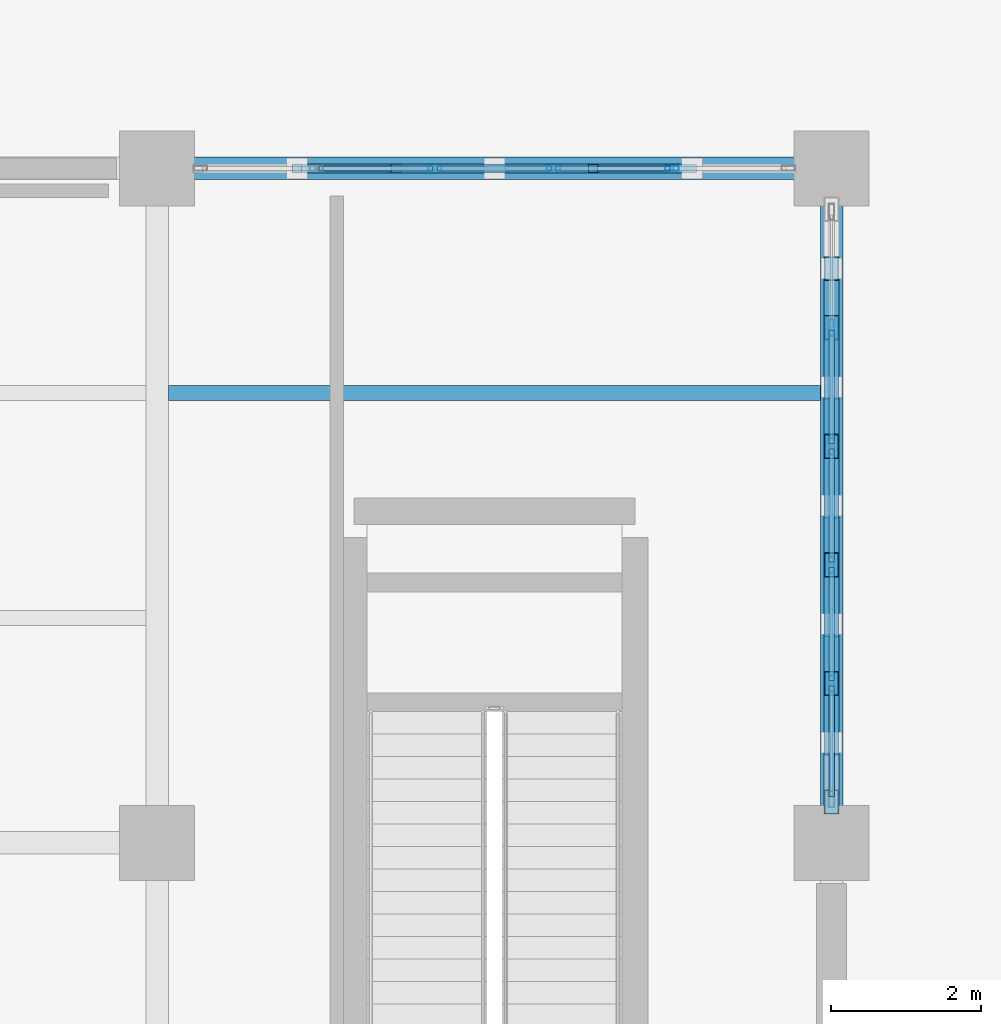
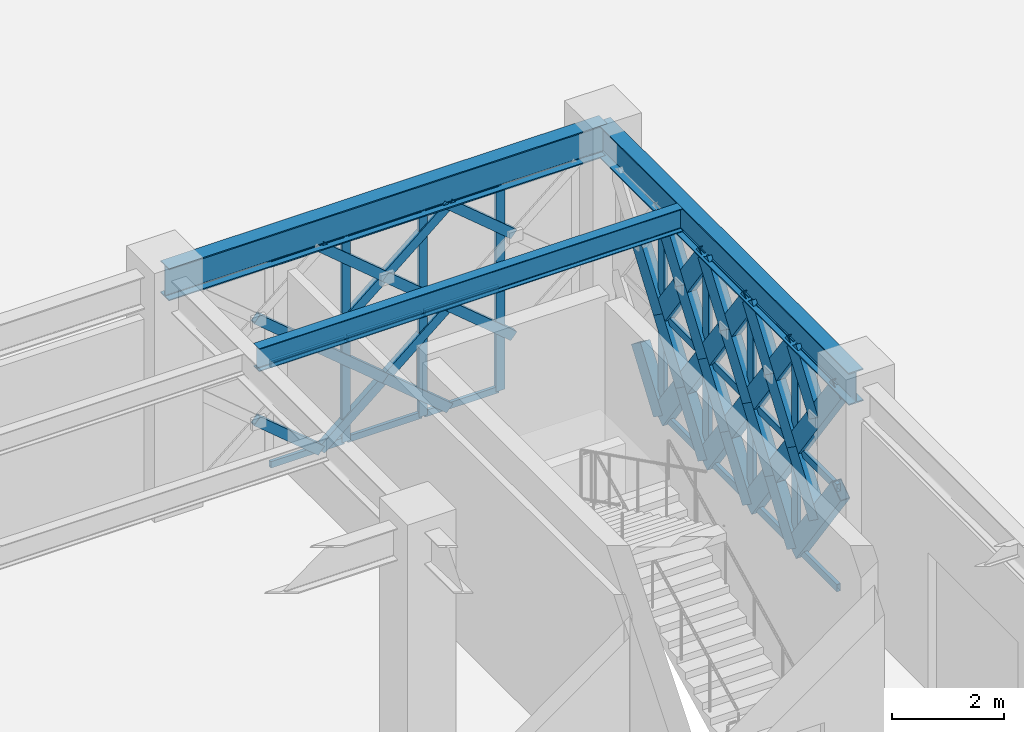
# One storey, part 20 of 140: 62 members, 3 beams, 2 elements without a shape of their own.
"""IFC4 building model written with IfcOpenShell, lengths in metres."""

from ifc_helpers import new_model, si_unit, direction, frame, origin, origin_2d, place, context, subcontext, project, spatial, hollow_rectangle, i_section, extrude, material, material_profile, profile_set, type_object, element, aggregate, save


model = new_model("IFC4")

# Units and contexts
model_context = context("Model", 3, precision=1e-05, world=origin(), true_north=direction((0.0, 1.0)))
body_context = subcontext(model_context, "Body", "Model", "MODEL_VIEW")
ifc_project = project(units=[si_unit("LENGTHUNIT", "METRE"), si_unit("AREAUNIT", "SQUARE_METRE"), si_unit("VOLUMEUNIT", "CUBIC_METRE"), si_unit("PLANEANGLEUNIT", "RADIAN"), si_unit("MASSUNIT", "GRAM", prefix="KILO")], contexts=[model_context])

# Site, building, storey
site_placement = place(None, origin())
site = spatial("IfcSite", under=ifc_project, at=site_placement, CompositionType="ELEMENT")
building_placement = place(site_placement, origin())
building = spatial("IfcBuilding", under=site, at=building_placement, Name="Haizhuo Lancet Aquarium", CompositionType="ELEMENT")
storey_placement = place(building_placement, origin())
storey = spatial("IfcBuildingStorey", under=building, at=storey_placement, Name="L00", CompositionType="ELEMENT", Elevation=0.0)

# Beams
ifc_material_1 = material(Name="Steel S355", Category="steel")
ifc_material_profile_1 = material_profile(ifc_material_1, i_section(OverallWidth=0.300048828125, OverallDepth=0.699951171875, WebThickness=0.012939453125, FlangeThickness=0.02392578125, FilletRadius=0.02587890625, at=origin_2d()), Name="HN 700x300x13x24")
ifc_profile_set_1 = profile_set([ifc_material_profile_1], Name="Steel S355")
beam_type_1 = type_object("IfcBeamType", Name="BM-ST-HN700", PredefinedType="BEAM", material=ifc_profile_set_1)
for number, where, z_axis, x_axis, name in (
    (1, (-45.0, -9.0, 4.77001953125), (1.0, 0.0, 0.0), (0.0, 1.0, 0.0), "L00 V6 primary girder BM-L00-V6-026"),
    (2, (-36.0, -18.0, 4.77001953125), (0.0, 1.0, 0.0), (-1.0, 0.0, 0.0), "L00 V6 primary girder BM-L00-V6-029"),
):
    element("IfcBeam", number, at=place(storey_placement, frame(where, z_axis=z_axis, x_axis=x_axis)), inside=storey, type_object=beam_type_1, Name=name, PredefinedType="BEAM", context=body_context, shape_type="SweptSolid", body=[
        extrude(i_section(OverallWidth=0.300048828125, OverallDepth=0.699951171875, WebThickness=0.012939453125, FlangeThickness=0.02392578125, FilletRadius=0.02587890625, at=origin_2d()), origin(), (0.0, 0.0, 1.0), 9.0),
    ])

# Curtain wall, members
ifc_material_2 = material(Name="Aluminium 6063-T6", Category="aluminium")
curtain_wall_type_1 = type_object("IfcCurtainWallType", Name="CWO-7910x4420", PredefinedType="NOTDEFINED", material=ifc_material_2)
curtain_wall_1_placement = place(storey_placement, origin())
curtain_wall_1 = element("IfcCurtainWall", 3, at=curtain_wall_1_placement, inside=storey, type_object=curtain_wall_type_1, Name="L00 curtain wall CW-V6-L00-196", PredefinedType="NOTDEFINED")
ifc_material_profile_2 = material_profile(ifc_material_2, hollow_rectangle(XDim=0.06494140625, YDim=0.179931640625, WallThickness=0.00390625, at=origin_2d()), Name="ALU-M 65x180x4")
ifc_profile_set_2 = profile_set([ifc_material_profile_2], Name="Aluminium 6063-T6")
member_type_1 = type_object("IfcMemberType", Name="CW-MUL-1", PredefinedType="MULLION", material=ifc_profile_set_2)
member_1_placement = place(storey_placement, frame((-41.291015625, -9.0, 0.0), z_axis=(0.0, 0.0, 1.0), x_axis=(0.0, 1.0, 0.0)))
member_1 = element("IfcMember", 4, at=member_1_placement, type_object=member_type_1, Name="CWO-79x44 mullion 3", PredefinedType="MULLION", context=body_context, shape_type="SweptSolid", body=[
    extrude(hollow_rectangle(XDim=0.06494140625, YDim=0.179931640625, WallThickness=0.00390625, at=origin_2d()), origin(), (0.0, 0.0, 1.0), 4.419921875),
])
member_2_placement = place(storey_placement, frame((-39.708984375, -9.0, 0.0), z_axis=(0.0, 0.0, 1.0), x_axis=(0.0, 1.0, 0.0)))
member_2 = element("IfcMember", 5, at=member_2_placement, type_object=member_type_1, Name="CWO-79x44 mullion 4", PredefinedType="MULLION", context=body_context, shape_type="SweptSolid", body=[
    extrude(hollow_rectangle(XDim=0.06494140625, YDim=0.179931640625, WallThickness=0.00390625, at=origin_2d()), origin(), (0.0, 0.0, 1.0), 4.419921875),
])
member_3_placement = place(storey_placement, frame((-38.126953125, -9.0, 0.0), z_axis=(0.0, 0.0, 1.0), x_axis=(0.0, 1.0, 0.0)))
member_3 = element("IfcMember", 6, at=member_3_placement, type_object=member_type_1, Name="CWO-79x44 mullion 5", PredefinedType="MULLION", context=body_context, shape_type="SweptSolid", body=[
    extrude(hollow_rectangle(XDim=0.06494140625, YDim=0.179931640625, WallThickness=0.00390625, at=origin_2d()), origin(), (0.0, 0.0, 1.0), 4.419921875),
])

curtain_wall_type_2 = type_object("IfcCurtainWallType", Name="CWD-7910x4420", PredefinedType="NOTDEFINED", material=ifc_material_2)
curtain_wall_2_placement = place(storey_placement, origin())
curtain_wall_2 = element("IfcCurtainWall", 7, at=curtain_wall_2_placement, inside=storey, type_object=curtain_wall_type_2, Name="L00 curtain wall CW-V6-L00-197", PredefinedType="NOTDEFINED")
ifc_material_profile_3 = material_profile(ifc_material_2, hollow_rectangle(XDim=0.074951171875, YDim=0.219970703125, WallThickness=0.0048828125, at=origin_2d()), Name="ALU-M 75x220x5")
ifc_profile_set_3 = profile_set([ifc_material_profile_3], Name="Aluminium 6063-T6")
member_type_2 = type_object("IfcMemberType", Name="CW-MUL-2", PredefinedType="MULLION", material=ifc_profile_set_3)
member_4_placement = place(storey_placement, frame((-36.0, -11.126953125, 0.0), z_axis=(0.0, 0.0, 1.0), x_axis=(1.0, 0.0, 0.0)))
member_4 = element("IfcMember", 8, at=member_4_placement, type_object=member_type_2, Name="CWD-79x44 mullion 2", PredefinedType="MULLION", context=body_context, shape_type="SweptSolid", body=[
    extrude(hollow_rectangle(XDim=0.074951171875, YDim=0.219970703125, WallThickness=0.0048828125, at=origin_2d()), origin(), (0.0, 0.0, 1.0), 4.419921875),
])
member_5_placement = place(storey_placement, frame((-36.0, -12.708984375, 0.0), z_axis=(0.0, 0.0, 1.0), x_axis=(1.0, 0.0, 0.0)))
member_5 = element("IfcMember", 9, at=member_5_placement, type_object=member_type_2, Name="CWD-79x44 mullion 3", PredefinedType="MULLION", context=body_context, shape_type="SweptSolid", body=[
    extrude(hollow_rectangle(XDim=0.074951171875, YDim=0.219970703125, WallThickness=0.0048828125, at=origin_2d()), origin(), (0.0, 0.0, 1.0), 4.419921875),
])
member_6_placement = place(storey_placement, frame((-36.0, -14.291015625, 0.0), z_axis=(0.0, 0.0, 1.0), x_axis=(1.0, 0.0, 0.0)))
member_6 = element("IfcMember", 10, at=member_6_placement, type_object=member_type_2, Name="CWD-79x44 mullion 4", PredefinedType="MULLION", context=body_context, shape_type="SweptSolid", body=[
    extrude(hollow_rectangle(XDim=0.074951171875, YDim=0.219970703125, WallThickness=0.0048828125, at=origin_2d()), origin(), (0.0, 0.0, 1.0), 4.419921875),
])
member_7_placement = place(storey_placement, frame((-36.0, -15.873046875, 0.0), z_axis=(0.0, 0.0, 1.0), x_axis=(1.0, 0.0, 0.0)))
member_7 = element("IfcMember", 11, at=member_7_placement, type_object=member_type_2, Name="CWD-79x44 mullion 5", PredefinedType="MULLION", context=body_context, shape_type="SweptSolid", body=[
    extrude(hollow_rectangle(XDim=0.074951171875, YDim=0.219970703125, WallThickness=0.0048828125, at=origin_2d()), origin(), (0.0, 0.0, 1.0), 4.419921875),
])

# Member
ifc_material_profile_4 = material_profile(ifc_material_2, hollow_rectangle(XDim=0.06494140625, YDim=0.139892578125, WallThickness=0.00390625, at=origin_2d()), Name="ALU-T 65x140x4")
ifc_profile_set_4 = profile_set([ifc_material_profile_4], Name="Aluminium 6063-T6")
member_type_3 = type_object("IfcMemberType", Name="CW-TRN-1", PredefinedType="NOTDEFINED", material=ifc_profile_set_4)
member_8_placement = place(storey_placement, frame((-42.840087890625, -9.0, 0.032958984375), z_axis=(1.0, 0.0, 0.0), x_axis=(0.0, 1.0, 0.0)))
member_8 = element("IfcMember", 12, at=member_8_placement, type_object=member_type_3, Name="CWO-79x44 transom 2.1", ObjectType="TRANSOM", PredefinedType="USERDEFINED", context=body_context, shape_type="SweptSolid", body=[
    extrude(hollow_rectangle(XDim=0.06494140625, YDim=0.139892578125, WallThickness=0.00390625, at=origin_2d()), origin(), (0.0, 0.0, 1.0), 1.51611328125),
])

member_9_placement = place(storey_placement, frame((-42.840087890625, -9.0, 2.2099609375), z_axis=(1.0, 0.0, 0.0), x_axis=(0.0, 1.0, 0.0)))
member_9 = element("IfcMember", 13, at=member_9_placement, type_object=member_type_3, Name="CWO-79x44 transom 2.2", ObjectType="TRANSOM", PredefinedType="USERDEFINED", context=body_context, shape_type="SweptSolid", body=[
    extrude(hollow_rectangle(XDim=0.06494140625, YDim=0.139892578125, WallThickness=0.00390625, at=origin_2d()), origin(), (0.0, 0.0, 1.0), 1.51611328125),
])

member_10_placement = place(storey_placement, frame((-42.840087890625, -9.0, 4.387939453125), z_axis=(1.0, 0.0, 0.0), x_axis=(0.0, 1.0, 0.0)))
member_10 = element("IfcMember", 14, at=member_10_placement, type_object=member_type_3, Name="CWO-79x44 transom 2.3", ObjectType="TRANSOM", PredefinedType="USERDEFINED", context=body_context, shape_type="SweptSolid", body=[
    extrude(hollow_rectangle(XDim=0.06494140625, YDim=0.139892578125, WallThickness=0.00390625, at=origin_2d()), origin(), (0.0, 0.0, 1.0), 1.51611328125),
])

member_11_placement = place(storey_placement, frame((-41.258056640625, -9.0, 0.032958984375), z_axis=(1.0, 0.0, 0.0), x_axis=(0.0, 1.0, 0.0)))
member_11 = element("IfcMember", 15, at=member_11_placement, type_object=member_type_3, Name="CWO-79x44 transom 3.1", ObjectType="TRANSOM", PredefinedType="USERDEFINED", context=body_context, shape_type="SweptSolid", body=[
    extrude(hollow_rectangle(XDim=0.06494140625, YDim=0.139892578125, WallThickness=0.00390625, at=origin_2d()), origin(), (0.0, 0.0, 1.0), 1.51611328125),
])

member_12_placement = place(storey_placement, frame((-41.258056640625, -9.0, 2.2099609375), z_axis=(1.0, 0.0, 0.0), x_axis=(0.0, 1.0, 0.0)))
member_12 = element("IfcMember", 16, at=member_12_placement, type_object=member_type_3, Name="CWO-79x44 transom 3.2", ObjectType="TRANSOM", PredefinedType="USERDEFINED", context=body_context, shape_type="SweptSolid", body=[
    extrude(hollow_rectangle(XDim=0.06494140625, YDim=0.139892578125, WallThickness=0.00390625, at=origin_2d()), origin(), (0.0, 0.0, 1.0), 1.51611328125),
])

member_13_placement = place(storey_placement, frame((-41.258056640625, -9.0, 4.387939453125), z_axis=(1.0, 0.0, 0.0), x_axis=(0.0, 1.0, 0.0)))
member_13 = element("IfcMember", 17, at=member_13_placement, type_object=member_type_3, Name="CWO-79x44 transom 3.3", ObjectType="TRANSOM", PredefinedType="USERDEFINED", context=body_context, shape_type="SweptSolid", body=[
    extrude(hollow_rectangle(XDim=0.06494140625, YDim=0.139892578125, WallThickness=0.00390625, at=origin_2d()), origin(), (0.0, 0.0, 1.0), 1.51611328125),
])

member_14_placement = place(storey_placement, frame((-39.676025390625, -9.0, 0.032958984375), z_axis=(1.0, 0.0, 0.0), x_axis=(0.0, 1.0, 0.0)))
member_14 = element("IfcMember", 18, at=member_14_placement, type_object=member_type_3, Name="CWO-79x44 transom 4.1", ObjectType="TRANSOM", PredefinedType="USERDEFINED", context=body_context, shape_type="SweptSolid", body=[
    extrude(hollow_rectangle(XDim=0.06494140625, YDim=0.139892578125, WallThickness=0.00390625, at=origin_2d()), origin(), (0.0, 0.0, 1.0), 1.51611328125),
])

member_15_placement = place(storey_placement, frame((-39.676025390625, -9.0, 2.2099609375), z_axis=(1.0, 0.0, 0.0), x_axis=(0.0, 1.0, 0.0)))
member_15 = element("IfcMember", 19, at=member_15_placement, type_object=member_type_3, Name="CWO-79x44 transom 4.2", ObjectType="TRANSOM", PredefinedType="USERDEFINED", context=body_context, shape_type="SweptSolid", body=[
    extrude(hollow_rectangle(XDim=0.06494140625, YDim=0.139892578125, WallThickness=0.00390625, at=origin_2d()), origin(), (0.0, 0.0, 1.0), 1.51611328125),
])

member_16_placement = place(storey_placement, frame((-39.676025390625, -9.0, 4.387939453125), z_axis=(1.0, 0.0, 0.0), x_axis=(0.0, 1.0, 0.0)))
member_16 = element("IfcMember", 20, at=member_16_placement, type_object=member_type_3, Name="CWO-79x44 transom 4.3", ObjectType="TRANSOM", PredefinedType="USERDEFINED", context=body_context, shape_type="SweptSolid", body=[
    extrude(hollow_rectangle(XDim=0.06494140625, YDim=0.139892578125, WallThickness=0.00390625, at=origin_2d()), origin(), (0.0, 0.0, 1.0), 1.51611328125),
])

aggregate(curtain_wall_1, [member_1, member_2, member_3, member_8, member_9, member_10, member_11, member_12, member_13, member_14, member_15, member_16])

ifc_material_profile_5 = material_profile(ifc_material_2, hollow_rectangle(XDim=0.074951171875, YDim=0.159912109375, WallThickness=0.00390625, at=origin_2d()), Name="ALU-T 75x160x4")
ifc_profile_set_5 = profile_set([ifc_material_profile_5], Name="Aluminium 6063-T6")
member_type_4 = type_object("IfcMemberType", Name="CW-TRN-2", PredefinedType="NOTDEFINED", material=ifc_profile_set_5)
member_17_placement = place(storey_placement, frame((-36.0, -11.1650390625, 0.037109375), z_axis=(0.0, -1.0, 0.0), x_axis=(1.0, 0.0, 0.0)))
member_17 = element("IfcMember", 21, at=member_17_placement, type_object=member_type_4, Name="CWD-79x44 transom 2.1", ObjectType="TRANSOM", PredefinedType="USERDEFINED", context=body_context, shape_type="SweptSolid", body=[
    extrude(hollow_rectangle(XDim=0.074951171875, YDim=0.159912109375, WallThickness=0.00390625, at=origin_2d()), origin(), (0.0, 0.0, 1.0), 1.505859375),
])

member_18_placement = place(storey_placement, frame((-36.0, -11.1650390625, 2.2099609375), z_axis=(0.0, -1.0, 0.0), x_axis=(1.0, 0.0, 0.0)))
member_18 = element("IfcMember", 22, at=member_18_placement, type_object=member_type_4, Name="CWD-79x44 transom 2.2", ObjectType="TRANSOM", PredefinedType="USERDEFINED", context=body_context, shape_type="SweptSolid", body=[
    extrude(hollow_rectangle(XDim=0.074951171875, YDim=0.159912109375, WallThickness=0.00390625, at=origin_2d()), origin(), (0.0, 0.0, 1.0), 1.505859375),
])

member_19_placement = place(storey_placement, frame((-36.0, -11.1650390625, 4.383056640625), z_axis=(0.0, -1.0, 0.0), x_axis=(1.0, 0.0, 0.0)))
member_19 = element("IfcMember", 23, at=member_19_placement, type_object=member_type_4, Name="CWD-79x44 transom 2.3", ObjectType="TRANSOM", PredefinedType="USERDEFINED", context=body_context, shape_type="SweptSolid", body=[
    extrude(hollow_rectangle(XDim=0.074951171875, YDim=0.159912109375, WallThickness=0.00390625, at=origin_2d()), origin(), (0.0, 0.0, 1.0), 1.505859375),
])

member_20_placement = place(storey_placement, frame((-36.0, -12.74609375, 0.037109375), z_axis=(0.0, -1.0, 0.0), x_axis=(1.0, 0.0, 0.0)))
member_20 = element("IfcMember", 24, at=member_20_placement, type_object=member_type_4, Name="CWD-79x44 transom 3.1", ObjectType="TRANSOM", PredefinedType="USERDEFINED", context=body_context, shape_type="SweptSolid", body=[
    extrude(hollow_rectangle(XDim=0.074951171875, YDim=0.159912109375, WallThickness=0.00390625, at=origin_2d()), origin(), (0.0, 0.0, 1.0), 1.5068359375),
])

member_21_placement = place(storey_placement, frame((-36.0, -12.74609375, 2.2099609375), z_axis=(0.0, -1.0, 0.0), x_axis=(1.0, 0.0, 0.0)))
member_21 = element("IfcMember", 25, at=member_21_placement, type_object=member_type_4, Name="CWD-79x44 transom 3.2", ObjectType="TRANSOM", PredefinedType="USERDEFINED", context=body_context, shape_type="SweptSolid", body=[
    extrude(hollow_rectangle(XDim=0.074951171875, YDim=0.159912109375, WallThickness=0.00390625, at=origin_2d()), origin(), (0.0, 0.0, 1.0), 1.5068359375),
])

member_22_placement = place(storey_placement, frame((-36.0, -12.74609375, 4.383056640625), z_axis=(0.0, -1.0, 0.0), x_axis=(1.0, 0.0, 0.0)))
member_22 = element("IfcMember", 26, at=member_22_placement, type_object=member_type_4, Name="CWD-79x44 transom 3.3", ObjectType="TRANSOM", PredefinedType="USERDEFINED", context=body_context, shape_type="SweptSolid", body=[
    extrude(hollow_rectangle(XDim=0.074951171875, YDim=0.159912109375, WallThickness=0.00390625, at=origin_2d()), origin(), (0.0, 0.0, 1.0), 1.5068359375),
])

member_23_placement = place(storey_placement, frame((-36.0, -14.327880859375, 0.037109375), z_axis=(0.0, -1.0, 0.0), x_axis=(1.0, 0.0, 0.0)))
member_23 = element("IfcMember", 27, at=member_23_placement, type_object=member_type_4, Name="CWD-79x44 transom 4.1", ObjectType="TRANSOM", PredefinedType="USERDEFINED", context=body_context, shape_type="SweptSolid", body=[
    extrude(hollow_rectangle(XDim=0.074951171875, YDim=0.159912109375, WallThickness=0.00390625, at=origin_2d()), origin(), (0.0, 0.0, 1.0), 1.507080078125),
])

member_24_placement = place(storey_placement, frame((-36.0, -14.327880859375, 2.2099609375), z_axis=(0.0, -1.0, 0.0), x_axis=(1.0, 0.0, 0.0)))
member_24 = element("IfcMember", 28, at=member_24_placement, type_object=member_type_4, Name="CWD-79x44 transom 4.2", ObjectType="TRANSOM", PredefinedType="USERDEFINED", context=body_context, shape_type="SweptSolid", body=[
    extrude(hollow_rectangle(XDim=0.074951171875, YDim=0.159912109375, WallThickness=0.00390625, at=origin_2d()), origin(), (0.0, 0.0, 1.0), 1.507080078125),
])

member_25_placement = place(storey_placement, frame((-36.0, -14.327880859375, 4.383056640625), z_axis=(0.0, -1.0, 0.0), x_axis=(1.0, 0.0, 0.0)))
member_25 = element("IfcMember", 29, at=member_25_placement, type_object=member_type_4, Name="CWD-79x44 transom 4.3", ObjectType="TRANSOM", PredefinedType="USERDEFINED", context=body_context, shape_type="SweptSolid", body=[
    extrude(hollow_rectangle(XDim=0.074951171875, YDim=0.159912109375, WallThickness=0.00390625, at=origin_2d()), origin(), (0.0, 0.0, 1.0), 1.507080078125),
])

member_26_placement = place(storey_placement, frame((-36.0, -15.909912109375, 0.037109375), z_axis=(0.0, -1.0, 0.0), x_axis=(1.0, 0.0, 0.0)))
member_26 = element("IfcMember", 30, at=member_26_placement, type_object=member_type_4, Name="CWD-79x44 transom 5.1", ObjectType="TRANSOM", PredefinedType="USERDEFINED", context=body_context, shape_type="SweptSolid", body=[
    extrude(hollow_rectangle(XDim=0.074951171875, YDim=0.159912109375, WallThickness=0.00390625, at=origin_2d()), origin(), (0.0, 0.0, 1.0), 1.469970703125),
])

member_27_placement = place(storey_placement, frame((-36.0, -15.909912109375, 2.2099609375), z_axis=(0.0, -1.0, 0.0), x_axis=(1.0, 0.0, 0.0)))
member_27 = element("IfcMember", 31, at=member_27_placement, type_object=member_type_4, Name="CWD-79x44 transom 5.2", ObjectType="TRANSOM", PredefinedType="USERDEFINED", context=body_context, shape_type="SweptSolid", body=[
    extrude(hollow_rectangle(XDim=0.074951171875, YDim=0.159912109375, WallThickness=0.00390625, at=origin_2d()), origin(), (0.0, 0.0, 1.0), 1.469970703125),
])

member_28_placement = place(storey_placement, frame((-36.0, -15.909912109375, 4.383056640625), z_axis=(0.0, -1.0, 0.0), x_axis=(1.0, 0.0, 0.0)))
member_28 = element("IfcMember", 32, at=member_28_placement, type_object=member_type_4, Name="CWD-79x44 transom 5.3", ObjectType="TRANSOM", PredefinedType="USERDEFINED", context=body_context, shape_type="SweptSolid", body=[
    extrude(hollow_rectangle(XDim=0.074951171875, YDim=0.159912109375, WallThickness=0.00390625, at=origin_2d()), origin(), (0.0, 0.0, 1.0), 1.469970703125),
])

aggregate(curtain_wall_2, [member_4, member_5, member_6, member_7, member_17, member_18, member_19, member_20, member_21, member_22, member_23, member_24, member_25, member_26, member_27, member_28])

# Beam
ifc_material_profile_6 = material_profile(ifc_material_1, i_section(OverallWidth=0.199951171875, OverallDepth=0.5, WebThickness=0.010009765625, FlangeThickness=0.01611328125, FilletRadius=0.02001953125, at=origin_2d()), Name="HN 500x200x10x16")
ifc_profile_set_6 = profile_set([ifc_material_profile_6], Name="Steel S355")
beam_type_2 = type_object("IfcBeamType", Name="JST-ST-HN500", PredefinedType="JOIST", material=ifc_profile_set_6)
beam_placement = place(storey_placement, frame((-44.85009765625, -12.0, 4.8701171875), z_axis=(1.0, 0.0, 0.0), x_axis=(0.0, 1.0, 0.0)))
element("IfcBeam", 33, at=beam_placement, inside=storey, type_object=beam_type_2, Name="L00 V6 secondary floor joist 19", PredefinedType="JOIST", context=body_context, shape_type="SweptSolid", body=[
    extrude(i_section(OverallWidth=0.199951171875, OverallDepth=0.5, WebThickness=0.010009765625, FlangeThickness=0.01611328125, FilletRadius=0.02001953125, at=origin_2d()), origin(), (0.0, 0.0, 1.0), 8.7001953125),
])

# Members
ifc_material_profile_7 = material_profile(ifc_material_1, hollow_rectangle(XDim=0.1201171875, YDim=0.199951171875, WallThickness=0.008056640625, at=origin_2d()), Name="RHS 120x200x8")
ifc_profile_set_7 = profile_set([ifc_material_profile_7], Name="Steel S355")
member_type_5 = type_object("IfcMemberType", Name="MEM-LB-RHS120x200", PredefinedType="BRACE", material=ifc_profile_set_7)
for number, where, z_axis, x_axis, name in (
    (34, (-41.818115234375, -9.0, 0.0), (-0.766286230908, 0.0, 0.642499348109), (0.0, -1.0, 0.0), "Gothic lancet split diagonal brace CW-V6-L00-196 1B1"),
    (35, (-41.818115234375, -9.0, 2.2099609375), (-0.766286230908, 0.0, 0.642499348109), (0.0, -1.0, 0.0), "Gothic lancet split diagonal brace CW-V6-L00-196 2B1"),
):
    element("IfcMember", number, at=place(storey_placement, frame(where, z_axis=z_axis, x_axis=x_axis)), inside=storey, type_object=member_type_5, Name=name, PredefinedType="BRACE", context=body_context, shape_type="SweptSolid", body=[
        extrude(hollow_rectangle(XDim=0.1201171875, YDim=0.199951171875, WallThickness=0.008056640625, at=origin_2d()), origin(), (0.0, 0.0, 1.0), 1.7197265625),
    ])
member_29_placement = place(storey_placement, frame((-41.818115234375, -9.0, 0.0), z_axis=(0.766344822145, 0.0, 0.642429461943), x_axis=(0.0, 1.0, 0.0)))
element("IfcMember", 36, at=member_29_placement, inside=storey, type_object=member_type_5, Name="Gothic lancet continuous diagonal brace CW-V6-L00-196 3A", PredefinedType="BRACE", context=body_context, shape_type="SweptSolid", body=[
    extrude(hollow_rectangle(XDim=0.1201171875, YDim=0.199951171875, WallThickness=0.008056640625, at=origin_2d()), origin(), (0.0, 0.0, 1.0), 3.43994140625),
])
for number, where, z_axis, x_axis, name in (
    (37, (-39.181884765625, -9.0, 0.0), (-0.766344822145, 0.0, 0.642429461943), (0.0, -1.0, 0.0), "Gothic lancet split diagonal brace CW-V6-L00-196 3B1"),
    (38, (-40.5, -9.0, 1.10498046875), (-0.766344822145, 0.0, 0.642429461943), (0.0, -1.0, 0.0), "Gothic lancet split diagonal brace CW-V6-L00-196 3B2"),
):
    element("IfcMember", number, at=place(storey_placement, frame(where, z_axis=z_axis, x_axis=x_axis)), inside=storey, type_object=member_type_5, Name=name, PredefinedType="BRACE", context=body_context, shape_type="SweptSolid", body=[
        extrude(hollow_rectangle(XDim=0.1201171875, YDim=0.199951171875, WallThickness=0.008056640625, at=origin_2d()), origin(), (0.0, 0.0, 1.0), 1.719970703125),
    ])
member_30_placement = place(storey_placement, frame((-41.818115234375, -9.0, 2.2099609375), z_axis=(0.766344822145, 0.0, 0.642429461943), x_axis=(0.0, 1.0, 0.0)))
element("IfcMember", 39, at=member_30_placement, inside=storey, type_object=member_type_5, Name="Gothic lancet continuous diagonal brace CW-V6-L00-196 4A", PredefinedType="BRACE", context=body_context, shape_type="SweptSolid", body=[
    extrude(hollow_rectangle(XDim=0.1201171875, YDim=0.199951171875, WallThickness=0.008056640625, at=origin_2d()), origin(), (0.0, 0.0, 1.0), 3.43994140625),
])
for number, where, z_axis, x_axis, name in (
    (40, (-39.181884765625, -9.0, 2.2099609375), (-0.766344822145, 0.0, 0.642429461943), (0.0, -1.0, 0.0), "Gothic lancet split diagonal brace CW-V6-L00-196 4B1"),
    (41, (-40.5, -9.0, 3.31494140625), (-0.766344822145, 0.0, 0.642429461943), (0.0, -1.0, 0.0), "Gothic lancet split diagonal brace CW-V6-L00-196 4B2"),
):
    element("IfcMember", number, at=place(storey_placement, frame(where, z_axis=z_axis, x_axis=x_axis)), inside=storey, type_object=member_type_5, Name=name, PredefinedType="BRACE", context=body_context, shape_type="SweptSolid", body=[
        extrude(hollow_rectangle(XDim=0.1201171875, YDim=0.199951171875, WallThickness=0.008056640625, at=origin_2d()), origin(), (0.0, 0.0, 1.0), 1.719970703125),
    ])
for number, where, z_axis, x_axis, name in (
    (42, (-37.864013671875, -9.0, 1.10498046875), (-0.766286230908, 0.0, 0.642499348109), (0.0, -1.0, 0.0), "Gothic lancet split diagonal brace CW-V6-L00-196 5B2"),
    (43, (-37.864013671875, -9.0, 3.31494140625), (-0.766286230908, 0.0, 0.642499348109), (0.0, -1.0, 0.0), "Gothic lancet split diagonal brace CW-V6-L00-196 6B2"),
):
    element("IfcMember", number, at=place(storey_placement, frame(where, z_axis=z_axis, x_axis=x_axis)), inside=storey, type_object=member_type_5, Name=name, PredefinedType="BRACE", context=body_context, shape_type="SweptSolid", body=[
        extrude(hollow_rectangle(XDim=0.1201171875, YDim=0.199951171875, WallThickness=0.008056640625, at=origin_2d()), origin(), (0.0, 0.0, 1.0), 1.7197265625),
    ])
ifc_material_profile_8 = material_profile(ifc_material_1, hollow_rectangle(XDim=0.199951171875, YDim=0.39990234375, WallThickness=0.011962890625, at=origin_2d()), Name="RHS 200x400x12")
ifc_profile_set_8 = profile_set([ifc_material_profile_8], Name="Steel S355")
member_type_6 = type_object("IfcMemberType", Name="MEM-LB-RHS200x400", PredefinedType="BRACE", material=ifc_profile_set_8)
for number, where, z_axis, x_axis, name in (
    (44, (-36.0, -11.126953125, 0.0), (0.0, 0.582087604305, 0.813126079347), (-1.0, 0.0, 0.0), "Gothic lancet split diagonal brace CW-V6-L00-197 1B1"),
    (45, (-36.0, -11.126953125, 2.2099609375), (0.0, 0.582087604305, 0.813126079347), (-1.0, 0.0, 0.0), "Gothic lancet split diagonal brace CW-V6-L00-197 2B1"),
):
    element("IfcMember", number, at=place(storey_placement, frame(where, z_axis=z_axis, x_axis=x_axis)), inside=storey, type_object=member_type_6, Name=name, PredefinedType="BRACE", context=body_context, shape_type="SweptSolid", body=[
        extrude(hollow_rectangle(XDim=0.199951171875, YDim=0.39990234375, WallThickness=0.011962890625, at=origin_2d()), origin(), (0.0, 0.0, 1.0), 1.35888671875),
    ])
member_31_placement = place(storey_placement, frame((-36.0, -11.126953125, 0.0), z_axis=(0.0, -0.582087604305, 0.813126079347), x_axis=(1.0, 0.0, 0.0)))
element("IfcMember", 46, at=member_31_placement, inside=storey, type_object=member_type_6, Name="Gothic lancet continuous diagonal brace CW-V6-L00-197 3A", PredefinedType="BRACE", context=body_context, shape_type="SweptSolid", body=[
    extrude(hollow_rectangle(XDim=0.199951171875, YDim=0.39990234375, WallThickness=0.011962890625, at=origin_2d()), origin(), (0.0, 0.0, 1.0), 2.7177734375),
])
for number, where, z_axis, x_axis, name in (
    (47, (-36.0, -12.708984375, 0.0), (0.0, 0.582087604305, 0.813126079347), (-1.0, 0.0, 0.0), "Gothic lancet split diagonal brace CW-V6-L00-197 3B1"),
    (48, (-36.0, -11.91796875, 1.10498046875), (0.0, 0.582087604305, 0.813126079347), (-1.0, 0.0, 0.0), "Gothic lancet split diagonal brace CW-V6-L00-197 3B2"),
):
    element("IfcMember", number, at=place(storey_placement, frame(where, z_axis=z_axis, x_axis=x_axis)), inside=storey, type_object=member_type_6, Name=name, PredefinedType="BRACE", context=body_context, shape_type="SweptSolid", body=[
        extrude(hollow_rectangle(XDim=0.199951171875, YDim=0.39990234375, WallThickness=0.011962890625, at=origin_2d()), origin(), (0.0, 0.0, 1.0), 1.35888671875),
    ])
member_32_placement = place(storey_placement, frame((-36.0, -11.126953125, 2.2099609375), z_axis=(0.0, -0.582087604305, 0.813126079347), x_axis=(1.0, 0.0, 0.0)))
element("IfcMember", 49, at=member_32_placement, inside=storey, type_object=member_type_6, Name="Gothic lancet continuous diagonal brace CW-V6-L00-197 4A", PredefinedType="BRACE", context=body_context, shape_type="SweptSolid", body=[
    extrude(hollow_rectangle(XDim=0.199951171875, YDim=0.39990234375, WallThickness=0.011962890625, at=origin_2d()), origin(), (0.0, 0.0, 1.0), 2.7177734375),
])
for number, where, z_axis, x_axis, name in (
    (50, (-36.0, -12.708984375, 2.2099609375), (0.0, 0.582087604305, 0.813126079347), (-1.0, 0.0, 0.0), "Gothic lancet split diagonal brace CW-V6-L00-197 4B1"),
    (51, (-36.0, -11.91796875, 3.31494140625), (0.0, 0.582087604305, 0.813126079347), (-1.0, 0.0, 0.0), "Gothic lancet split diagonal brace CW-V6-L00-197 4B2"),
):
    element("IfcMember", number, at=place(storey_placement, frame(where, z_axis=z_axis, x_axis=x_axis)), inside=storey, type_object=member_type_6, Name=name, PredefinedType="BRACE", context=body_context, shape_type="SweptSolid", body=[
        extrude(hollow_rectangle(XDim=0.199951171875, YDim=0.39990234375, WallThickness=0.011962890625, at=origin_2d()), origin(), (0.0, 0.0, 1.0), 1.35888671875),
    ])
member_33_placement = place(storey_placement, frame((-36.0, -12.708984375, 0.0), z_axis=(0.0, -0.582087604305, 0.813126079347), x_axis=(1.0, 0.0, 0.0)))
element("IfcMember", 52, at=member_33_placement, inside=storey, type_object=member_type_6, Name="Gothic lancet continuous diagonal brace CW-V6-L00-197 5A", PredefinedType="BRACE", context=body_context, shape_type="SweptSolid", body=[
    extrude(hollow_rectangle(XDim=0.199951171875, YDim=0.39990234375, WallThickness=0.011962890625, at=origin_2d()), origin(), (0.0, 0.0, 1.0), 2.7177734375),
])
for number, where, z_axis, x_axis, name in (
    (53, (-36.0, -14.291015625, 0.0), (0.0, 0.582087604305, 0.813126079347), (-1.0, 0.0, 0.0), "Gothic lancet split diagonal brace CW-V6-L00-197 5B1"),
    (54, (-36.0, -13.5, 1.10498046875), (0.0, 0.582087604305, 0.813126079347), (-1.0, 0.0, 0.0), "Gothic lancet split diagonal brace CW-V6-L00-197 5B2"),
):
    element("IfcMember", number, at=place(storey_placement, frame(where, z_axis=z_axis, x_axis=x_axis)), inside=storey, type_object=member_type_6, Name=name, PredefinedType="BRACE", context=body_context, shape_type="SweptSolid", body=[
        extrude(hollow_rectangle(XDim=0.199951171875, YDim=0.39990234375, WallThickness=0.011962890625, at=origin_2d()), origin(), (0.0, 0.0, 1.0), 1.35888671875),
    ])
member_34_placement = place(storey_placement, frame((-36.0, -12.708984375, 2.2099609375), z_axis=(0.0, -0.582087604305, 0.813126079347), x_axis=(1.0, 0.0, 0.0)))
element("IfcMember", 55, at=member_34_placement, inside=storey, type_object=member_type_6, Name="Gothic lancet continuous diagonal brace CW-V6-L00-197 6A", PredefinedType="BRACE", context=body_context, shape_type="SweptSolid", body=[
    extrude(hollow_rectangle(XDim=0.199951171875, YDim=0.39990234375, WallThickness=0.011962890625, at=origin_2d()), origin(), (0.0, 0.0, 1.0), 2.7177734375),
])
for number, where, z_axis, x_axis, name in (
    (56, (-36.0, -14.291015625, 2.2099609375), (0.0, 0.582087604305, 0.813126079347), (-1.0, 0.0, 0.0), "Gothic lancet split diagonal brace CW-V6-L00-197 6B1"),
    (57, (-36.0, -13.5, 3.31494140625), (0.0, 0.582087604305, 0.813126079347), (-1.0, 0.0, 0.0), "Gothic lancet split diagonal brace CW-V6-L00-197 6B2"),
):
    element("IfcMember", number, at=place(storey_placement, frame(where, z_axis=z_axis, x_axis=x_axis)), inside=storey, type_object=member_type_6, Name=name, PredefinedType="BRACE", context=body_context, shape_type="SweptSolid", body=[
        extrude(hollow_rectangle(XDim=0.199951171875, YDim=0.39990234375, WallThickness=0.011962890625, at=origin_2d()), origin(), (0.0, 0.0, 1.0), 1.35888671875),
    ])
member_35_placement = place(storey_placement, frame((-36.0, -14.291015625, 0.0), z_axis=(0.0, -0.582087604305, 0.813126079347), x_axis=(1.0, 0.0, 0.0)))
element("IfcMember", 58, at=member_35_placement, inside=storey, type_object=member_type_6, Name="Gothic lancet continuous diagonal brace CW-V6-L00-197 7A", PredefinedType="BRACE", context=body_context, shape_type="SweptSolid", body=[
    extrude(hollow_rectangle(XDim=0.199951171875, YDim=0.39990234375, WallThickness=0.011962890625, at=origin_2d()), origin(), (0.0, 0.0, 1.0), 2.7177734375),
])
for number, where, z_axis, x_axis, name in (
    (59, (-36.0, -15.873046875, 0.0), (0.0, 0.582087604305, 0.813126079347), (-1.0, 0.0, 0.0), "Gothic lancet split diagonal brace CW-V6-L00-197 7B1"),
    (60, (-36.0, -15.08203125, 1.10498046875), (0.0, 0.582087604305, 0.813126079347), (-1.0, 0.0, 0.0), "Gothic lancet split diagonal brace CW-V6-L00-197 7B2"),
):
    element("IfcMember", number, at=place(storey_placement, frame(where, z_axis=z_axis, x_axis=x_axis)), inside=storey, type_object=member_type_6, Name=name, PredefinedType="BRACE", context=body_context, shape_type="SweptSolid", body=[
        extrude(hollow_rectangle(XDim=0.199951171875, YDim=0.39990234375, WallThickness=0.011962890625, at=origin_2d()), origin(), (0.0, 0.0, 1.0), 1.35888671875),
    ])
member_36_placement = place(storey_placement, frame((-36.0, -14.291015625, 2.2099609375), z_axis=(0.0, -0.582087604305, 0.813126079347), x_axis=(1.0, 0.0, 0.0)))
element("IfcMember", 61, at=member_36_placement, inside=storey, type_object=member_type_6, Name="Gothic lancet continuous diagonal brace CW-V6-L00-197 8A", PredefinedType="BRACE", context=body_context, shape_type="SweptSolid", body=[
    extrude(hollow_rectangle(XDim=0.199951171875, YDim=0.39990234375, WallThickness=0.011962890625, at=origin_2d()), origin(), (0.0, 0.0, 1.0), 2.7177734375),
])
for number, where, z_axis, x_axis, name in (
    (62, (-36.0, -15.873046875, 2.2099609375), (0.0, 0.582087604305, 0.813126079347), (-1.0, 0.0, 0.0), "Gothic lancet split diagonal brace CW-V6-L00-197 8B1"),
    (63, (-36.0, -15.08203125, 3.31494140625), (0.0, 0.582087604305, 0.813126079347), (-1.0, 0.0, 0.0), "Gothic lancet split diagonal brace CW-V6-L00-197 8B2"),
):
    element("IfcMember", number, at=place(storey_placement, frame(where, z_axis=z_axis, x_axis=x_axis)), inside=storey, type_object=member_type_6, Name=name, PredefinedType="BRACE", context=body_context, shape_type="SweptSolid", body=[
        extrude(hollow_rectangle(XDim=0.199951171875, YDim=0.39990234375, WallThickness=0.011962890625, at=origin_2d()), origin(), (0.0, 0.0, 1.0), 1.35888671875),
    ])
member_37_placement = place(storey_placement, frame((-36.0, -15.873046875, 0.0), z_axis=(0.0, -0.582087604305, 0.813126079347), x_axis=(1.0, 0.0, 0.0)))
element("IfcMember", 64, at=member_37_placement, inside=storey, type_object=member_type_6, Name="Gothic lancet continuous diagonal brace CW-V6-L00-197 9A", PredefinedType="BRACE", context=body_context, shape_type="SweptSolid", body=[
    extrude(hollow_rectangle(XDim=0.199951171875, YDim=0.39990234375, WallThickness=0.011962890625, at=origin_2d()), origin(), (0.0, 0.0, 1.0), 2.7177734375),
])
member_38_placement = place(storey_placement, frame((-36.0, -16.6640625, 1.10498046875), z_axis=(0.0, 0.582087604305, 0.813126079347), x_axis=(-1.0, 0.0, 0.0)))
element("IfcMember", 65, at=member_38_placement, inside=storey, type_object=member_type_6, Name="Gothic lancet split diagonal brace CW-V6-L00-197 9B2", PredefinedType="BRACE", context=body_context, shape_type="SweptSolid", body=[
    extrude(hollow_rectangle(XDim=0.199951171875, YDim=0.39990234375, WallThickness=0.011962890625, at=origin_2d()), origin(), (0.0, 0.0, 1.0), 1.35888671875),
])
member_39_placement = place(storey_placement, frame((-36.0, -15.873046875, 2.2099609375), z_axis=(0.0, -0.582087604305, 0.813126079347), x_axis=(1.0, 0.0, 0.0)))
element("IfcMember", 66, at=member_39_placement, inside=storey, type_object=member_type_6, Name="Gothic lancet continuous diagonal brace CW-V6-L00-197 10A", PredefinedType="BRACE", context=body_context, shape_type="SweptSolid", body=[
    extrude(hollow_rectangle(XDim=0.199951171875, YDim=0.39990234375, WallThickness=0.011962890625, at=origin_2d()), origin(), (0.0, 0.0, 1.0), 2.7177734375),
])
member_40_placement = place(storey_placement, frame((-36.0, -16.6640625, 3.31494140625), z_axis=(0.0, 0.582087604305, 0.813126079347), x_axis=(-1.0, 0.0, 0.0)))
element("IfcMember", 67, at=member_40_placement, inside=storey, type_object=member_type_6, Name="Gothic lancet split diagonal brace CW-V6-L00-197 10B2", PredefinedType="BRACE", context=body_context, shape_type="SweptSolid", body=[
    extrude(hollow_rectangle(XDim=0.199951171875, YDim=0.39990234375, WallThickness=0.011962890625, at=origin_2d()), origin(), (0.0, 0.0, 1.0), 1.35888671875),
])

save(model, "model.ifc")
